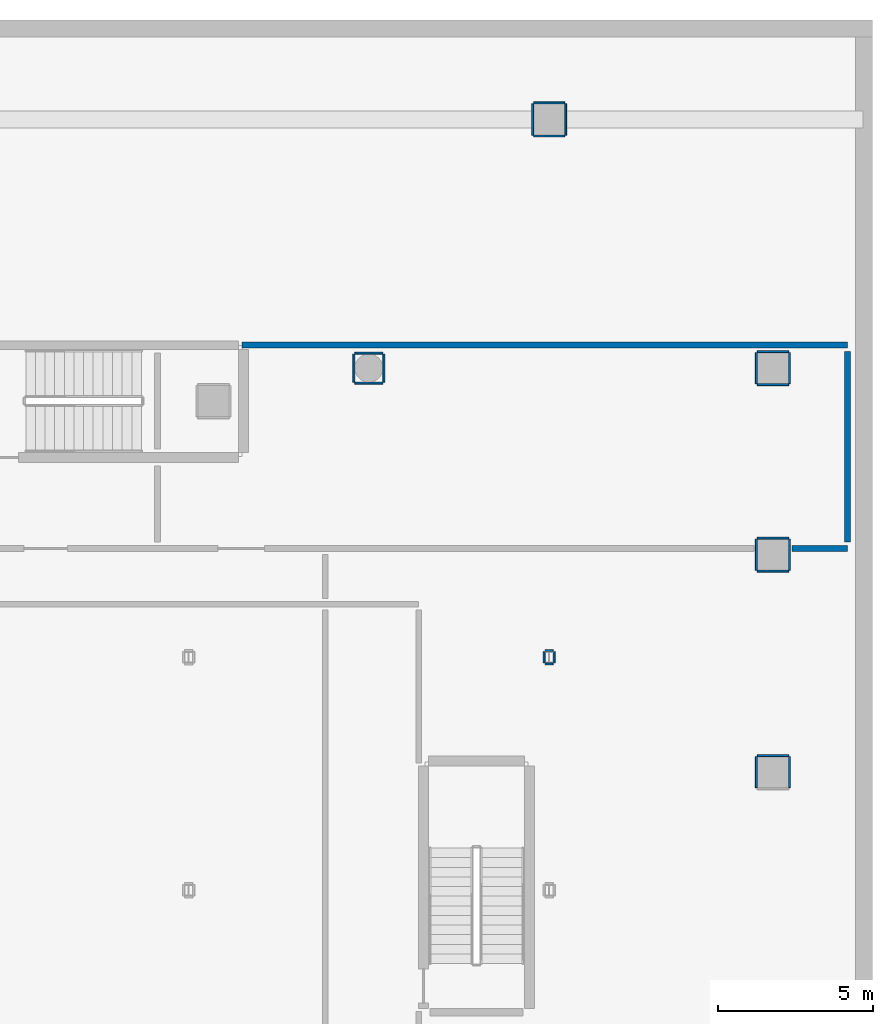
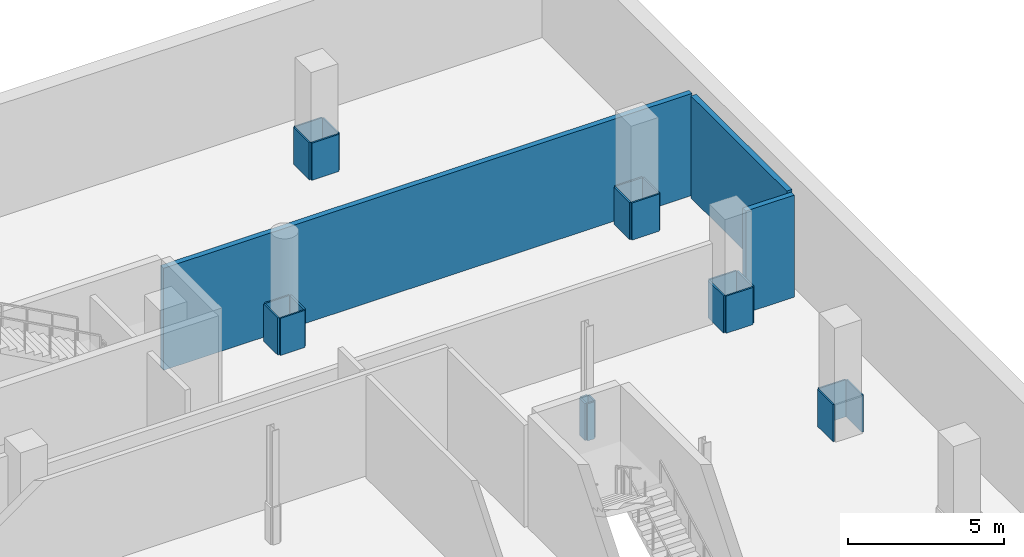
# One storey, part 17 of 22: 26 walls.
"""IFC4 building model written with IfcOpenShell, lengths in metres."""

from ifc_helpers import new_model, si_unit, direction, frame, frame_2d, origin, place, context, subcontext, project, spatial, rectangle, extrude, material, layer, layer_set, type_object, element, save


model = new_model("IFC4")

# Units and contexts
model_context = context("Model", 3, precision=1e-05, world=origin(), true_north=direction((0.0, 1.0)))
body_context = subcontext(model_context, "Body", "Model", "MODEL_VIEW")
ifc_project = project(units=[si_unit("LENGTHUNIT", "METRE"), si_unit("AREAUNIT", "SQUARE_METRE"), si_unit("VOLUMEUNIT", "CUBIC_METRE"), si_unit("PLANEANGLEUNIT", "RADIAN"), si_unit("MASSUNIT", "GRAM", prefix="KILO")], contexts=[model_context])

# Site, building, storey
site_placement = place(None, origin())
site = spatial("IfcSite", under=ifc_project, at=site_placement, CompositionType="ELEMENT")
building_placement = place(site_placement, origin())
building = spatial("IfcBuilding", under=site, at=building_placement, Name="Solanera Arch Residences", CompositionType="ELEMENT")
storey_placement = place(building_placement, frame((0.0, 0.0, -4.39990234375)))
storey = spatial("IfcBuildingStorey", under=building, at=storey_placement, Name="B01", CompositionType="ELEMENT", Elevation=-4.39990234375)

# Walls
ifc_material_1 = material(Name="Fire-Rated Gypsum Stud Partition", Category="gypsum")
ifc_layer_1 = layer(ifc_material_1, 0.06005859375)
ifc_layer_set_1 = layer_set([ifc_layer_1], Name="Fire-Rated Gypsum Stud Partition")
wall_type_1 = type_object("IfcWallType", Name="Column Acoustic Furring Wall 60", PredefinedType="PARTITIONING", material=ifc_layer_set_1)
for number, where, z_axis, x_axis, name in (
    (1, (74.470947265625, 37.885986328125, 0.0), (0.0, 0.0, 1.0), (1.0, 0.0, 0.0), "B01 Column Furring 32S"),
    (2, (74.470947265625, 38.31396484375, 0.0), (0.0, 0.0, 1.0), (1.0, 0.0, 0.0), "B01 Column Furring 32N"),
):
    element("IfcWall", number, at=place(storey_placement, frame(where, z_axis=z_axis, x_axis=x_axis)), inside=storey, type_object=wall_type_1, Name=name, PredefinedType="PARTITIONING", context=body_context, shape_type="SweptSolid", body=[
        extrude(rectangle(XDim=0.257080078125, YDim=0.06005859375, at=frame_2d((0.12841796875, 0.0))), origin(), (0.0, 0.0, 1.0), 1.449951171875),
    ])
for number, where, z_axis, x_axis, name in (
    (3, (74.43896484375, 37.9189453125, 0.0), (0.0, 0.0, 1.0), (0.0, 1.0, 0.0), "B01 Column Furring 32W"),
    (4, (74.760009765625, 37.9189453125, 0.0), (0.0, 0.0, 1.0), (0.0, 1.0, 0.0), "B01 Column Furring 32E"),
):
    element("IfcWall", number, at=place(storey_placement, frame(where, z_axis=z_axis, x_axis=x_axis)), inside=storey, type_object=wall_type_1, Name=name, PredefinedType="PARTITIONING", context=body_context, shape_type="SweptSolid", body=[
        extrude(rectangle(XDim=0.363037109375, YDim=0.06005859375, at=frame_2d((0.181640625, 0.0))), origin(), (0.0, 0.0, 1.0), 1.449951171875),
    ])
for number, where, z_axis, x_axis, name in (
    (5, (74.10009765625, 54.867919921875, 0.0), (0.0, 0.0, 1.0), (1.0, 0.0, 0.0), "B01 Column Furring 40S"),
    (6, (74.10009765625, 55.931884765625, 0.0), (0.0, 0.0, 1.0), (1.0, 0.0, 0.0), "B01 Column Furring 40N"),
    (7, (74.068115234375, 54.89990234375, 0.0), (0.0, 0.0, 1.0), (0.0, 1.0, 0.0), "B01 Column Furring 40W"),
    (8, (75.132080078125, 54.89990234375, 0.0), (0.0, 0.0, 1.0), (0.0, 1.0, 0.0), "B01 Column Furring 40E"),
    (9, (81.300048828125, 34.931884765625, 0.0), (0.0, 0.0, 1.0), (1.0, 0.0, 0.0), "B01 Column Furring 52N"),
    (10, (81.26806640625, 33.89990234375, 0.0), (0.0, 0.0, 1.0), (0.0, 1.0, 0.0), "B01 Column Furring 52W"),
    (11, (82.33203125, 33.89990234375, 0.0), (0.0, 0.0, 1.0), (0.0, 1.0, 0.0), "B01 Column Furring 52E"),
    (12, (81.300048828125, 40.867919921875, 0.0), (0.0, 0.0, 1.0), (1.0, 0.0, 0.0), "B01 Column Furring 53S"),
    (13, (81.300048828125, 41.931884765625, 0.0), (0.0, 0.0, 1.0), (1.0, 0.0, 0.0), "B01 Column Furring 53N"),
    (14, (81.26806640625, 40.89990234375, 0.0), (0.0, 0.0, 1.0), (0.0, 1.0, 0.0), "B01 Column Furring 53W"),
    (15, (82.33203125, 40.89990234375, 0.0), (0.0, 0.0, 1.0), (0.0, 1.0, 0.0), "B01 Column Furring 53E"),
    (16, (81.300048828125, 46.867919921875, 0.0), (0.0, 0.0, 1.0), (1.0, 0.0, 0.0), "B01 Column Furring 54S"),
    (17, (81.300048828125, 47.931884765625, 0.0), (0.0, 0.0, 1.0), (1.0, 0.0, 0.0), "B01 Column Furring 54N"),
    (18, (81.26806640625, 46.89990234375, 0.0), (0.0, 0.0, 1.0), (0.0, 1.0, 0.0), "B01 Column Furring 54W"),
    (19, (82.33203125, 46.89990234375, 0.0), (0.0, 0.0, 1.0), (0.0, 1.0, 0.0), "B01 Column Furring 54E"),
):
    element("IfcWall", number, at=place(storey_placement, frame(where, z_axis=z_axis, x_axis=x_axis)), inside=storey, type_object=wall_type_1, Name=name, PredefinedType="PARTITIONING", context=body_context, shape_type="SweptSolid", body=[
        extrude(rectangle(XDim=1.0, YDim=0.06005859375, at=frame_2d((0.5, 0.0))), origin(), (0.0, 0.0, 1.0), 1.449951171875),
    ])
for number, where, z_axis, x_axis, name in (
    (20, (68.35009765625, 46.91796875, 0.0), (0.0, 0.0, 1.0), (1.0, 0.0, 0.0), "B01 Column Furring 56S"),
    (21, (68.35009765625, 47.882080078125, 0.0), (0.0, 0.0, 1.0), (1.0, 0.0, 0.0), "B01 Column Furring 56N"),
):
    element("IfcWall", number, at=place(storey_placement, frame(where, z_axis=z_axis, x_axis=x_axis)), inside=storey, type_object=wall_type_1, Name=name, PredefinedType="PARTITIONING", context=body_context, shape_type="SweptSolid", body=[
        extrude(rectangle(XDim=0.89990234375, YDim=0.06005859375, at=frame_2d((0.449951171875, 0.0))), origin(), (0.0, 0.0, 1.0), 1.449951171875),
    ])
for number, where, z_axis, x_axis, name in (
    (22, (68.318115234375, 46.949951171875, 0.0), (0.0, 0.0, 1.0), (0.0, 1.0, 0.0), "B01 Column Furring 56W"),
    (23, (69.281982421875, 46.949951171875, 0.0), (0.0, 0.0, 1.0), (0.0, 1.0, 0.0), "B01 Column Furring 56E"),
):
    element("IfcWall", number, at=place(storey_placement, frame(where, z_axis=z_axis, x_axis=x_axis)), inside=storey, type_object=wall_type_1, Name=name, PredefinedType="PARTITIONING", context=body_context, shape_type="SweptSolid", body=[
        extrude(rectangle(XDim=0.900146484375, YDim=0.06005859375, at=frame_2d((0.4501953125, 0.0))), origin(), (0.0, 0.0, 1.0), 1.449951171875),
    ])
ifc_material_2 = material(Name="Autoclaved Aerated Concrete Blockwork", Category="masonry")
ifc_layer_2 = layer(ifc_material_2, 0.199951171875)
ifc_layer_set_2 = layer_set([ifc_layer_2], Name="Autoclaved Aerated Concrete Blockwork")
wall_type_2 = type_object("IfcWallType", Name="Party Wall Acoustic 200", PredefinedType="PARTITIONING", material=ifc_layer_set_2)
wall_1_placement = place(storey_placement, frame((82.412109375, 41.60009765625, 0.0), z_axis=(0.0, 0.0, 1.0), x_axis=(1.0, 0.0, 0.0)))
element("IfcWall", 24, at=wall_1_placement, inside=storey, type_object=wall_type_2, Name="B01 Interior Partition H8 5", PredefinedType="PARTITIONING", context=body_context, shape_type="SweptSolid", body=[
    extrude(rectangle(XDim=1.787841796875, YDim=0.199951171875, at=frame_2d((0.89404296875, 0.0))), origin(), (0.0, 0.0, 1.0), 3.97998046875),
])
wall_2_placement = place(storey_placement, frame((64.7099609375, 48.139892578125, 0.0), z_axis=(0.0, 0.0, 1.0), x_axis=(1.0, 0.0, 0.0)))
element("IfcWall", 25, at=wall_2_placement, inside=storey, type_object=wall_type_2, Name="B01 Interior Partition H9", PredefinedType="PARTITIONING", context=body_context, shape_type="SweptSolid", body=[
    extrude(rectangle(XDim=19.489990234375, YDim=0.199951171875, at=frame_2d((9.7451171875, 0.0))), origin(), (0.0, 0.0, 1.0), 3.97998046875),
])
wall_3_placement = place(storey_placement, frame((84.199951171875, 41.80810546875, 0.0), z_axis=(0.0, 0.0, 1.0), x_axis=(0.0, 1.0, 0.0)))
element("IfcWall", 26, at=wall_3_placement, inside=storey, type_object=wall_type_2, Name="B01 Interior Partition V9", PredefinedType="PARTITIONING", context=body_context, shape_type="SweptSolid", body=[
    extrude(rectangle(XDim=6.123779296875, YDim=0.199951171875, at=frame_2d((3.06201171875, 0.0))), origin(), (0.0, 0.0, 1.0), 3.97998046875),
])

save(model, "model.ifc")
